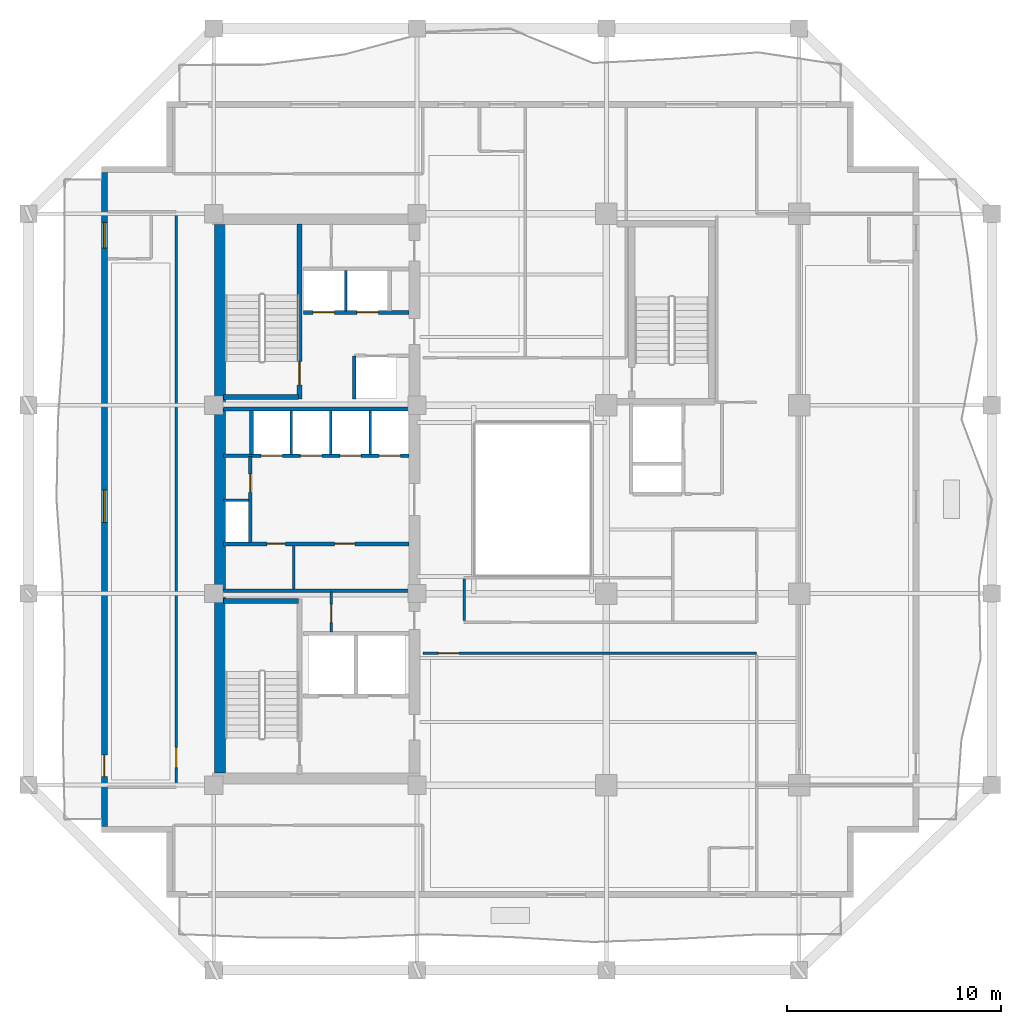
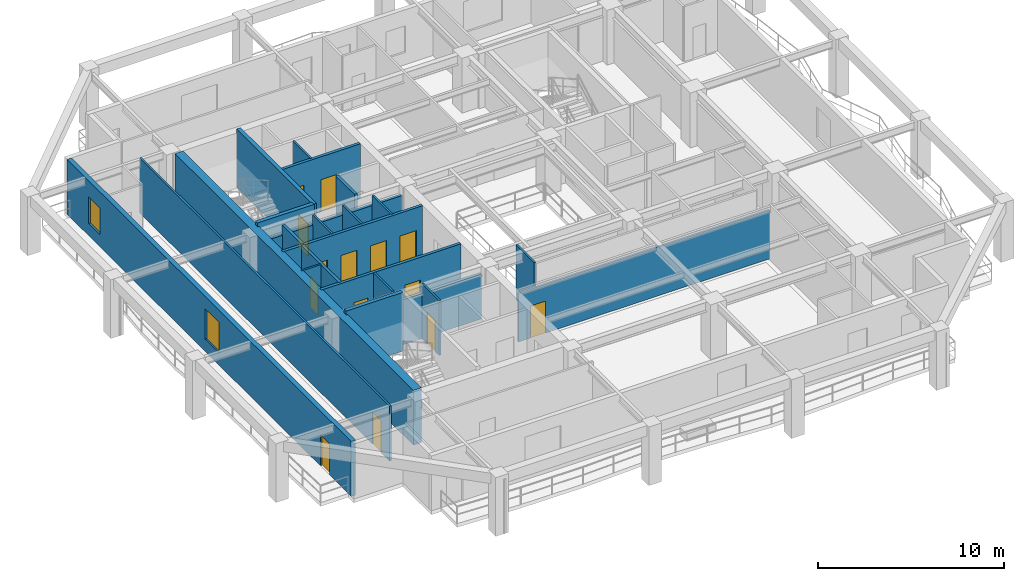
# One storey, part 3 of 10: 23 walls, 14 doors, 2 windows, 16 openings.
"""IFC4 building model written with IfcOpenShell, lengths in metres."""

from ifc_helpers import new_model, si_unit, direction, frame, frame_2d, origin, place, context, subcontext, project, spatial, rectangle, extrude, material, layer, layer_set, type_object, element, fill, save


model = new_model("IFC4")

# Units and contexts
model_context = context("Model", 3, precision=1e-05, world=origin(), true_north=direction((0.0, 1.0)))
body_context = subcontext(model_context, "Body", "Model", "MODEL_VIEW")
ifc_project = project(units=[si_unit("LENGTHUNIT", "METRE"), si_unit("AREAUNIT", "SQUARE_METRE"), si_unit("VOLUMEUNIT", "CUBIC_METRE"), si_unit("PLANEANGLEUNIT", "RADIAN"), si_unit("MASSUNIT", "GRAM", prefix="KILO")], contexts=[model_context])

# Site, building, storey
site_placement = place(None, origin())
site = spatial("IfcSite", under=ifc_project, at=site_placement, CompositionType="ELEMENT")
building_placement = place(site_placement, origin())
building = spatial("IfcBuilding", under=site, at=building_placement, Name="Kundavana Baori Tower", CompositionType="ELEMENT")
storey_placement = place(building_placement, frame((0.0, 0.0, 111.699951171875)))
storey = spatial("IfcBuildingStorey", under=building, at=storey_placement, Name="L26", CompositionType="ELEMENT", Elevation=111.699951171875)

# Wall
ifc_material_1 = material(Name="Concrete C50/60", Category="concrete")
ifc_layer_1 = layer(ifc_material_1, 0.39990234375, Name="WL-CORE-400")
ifc_layer_set_1 = layer_set([ifc_layer_1], Name="Concrete C50/60")
wall_type_1 = type_object("IfcWallType", Name="WL-CORE-400", PredefinedType="SHEAR", material=ifc_layer_set_1)
wall_1_placement = place(storey_placement, frame((15.89990234375, 23.860107421875, 0.0), z_axis=(0.0, 0.0, 1.0), x_axis=(1.0, 0.0, 0.0)))
element("IfcWall", 1, at=wall_1_placement, inside=storey, type_object=wall_type_1, Name="WL-L26-ST1-N", PredefinedType="SHEAR", context=body_context, shape_type="SweptSolid", body=[
    extrude(rectangle(XDim=3.52001953125, YDim=0.239990234375, at=frame_2d((1.760009765625, 0.0))), origin(), (0.0, 0.0, 1.0), 3.85009765625),
])

# Wall, opening, door
wall_2_placement = place(storey_placement, frame((19.4599609375, 33.300048828125, 0.0), z_axis=(0.0, 0.0, 1.0), x_axis=(0.0, 1.0, 0.0)))
wall_2 = element("IfcWall", 2, at=wall_2_placement, inside=storey, type_object=wall_type_1, Name="WL-L26-ST2-E", PredefinedType="SHEAR", context=body_context, shape_type="SweptSolid", body=[
    extrude(rectangle(XDim=8.179931640625, YDim=0.239990234375, at=frame_2d((4.08984375, 0.0))), origin(), (0.0, 0.0, 1.0), 3.85009765625),
])
opening_1_placement = place(wall_2_placement, frame((0.64990234375, 0.0, 0.0)))
opening_1 = element("IfcOpeningElement", 3, at=opening_1_placement, cuts=wall_2, Name="Opening FD-110", PredefinedType="OPENING", context=body_context, shape_type="SweptSolid", body=[
    extrude(rectangle(XDim=1.10009765625, YDim=2.10009765625, at=frame_2d((0.550048828125, 1.050048828125))), frame((0.0, 0.1298828125, 0.0), z_axis=(0.0, -1.0, 0.0), x_axis=(1.0, 0.0, 0.0)), (0.0, 0.0, 1.0), 0.260009765625),
])
ifc_material_2 = material(Name="Galvanised Steel Fire-Rated Door Leaf", Category="steel")
door_type_1 = type_object("IfcDoorType", Name="DR-FD120-1100", OperationType="NOTDEFINED", PredefinedType="DOOR", material=ifc_material_2)
door_1_placement = place(opening_1_placement, origin())
door_1 = element("IfcDoor", 4, at=door_1_placement, inside=storey, type_object=door_type_1, Name="DR-L26-ST2", OperationType="SINGLE_SWING_RIGHT", OverallHeight=2.10009765625, OverallWidth=1.10009765625, PredefinedType="DOOR", context=body_context, shape_type="SweptSolid", body=[
    extrude(rectangle(XDim=1.10009765625, YDim=2.10009765625, at=frame_2d((0.550048828125, 1.050048828125))), frame((0.0, 0.02490234375, 0.0), z_axis=(0.0, -1.0, 0.0), x_axis=(1.0, 0.0, 0.0)), (0.0, 0.0, 1.0), 0.050048828125),
])
fill(opening_1, door_1)

# Walls
wall_3_placement = place(storey_placement, frame((15.89990234375, 33.389892578125, 0.0), z_axis=(0.0, 0.0, 1.0), x_axis=(1.0, 0.0, 0.0)))
element("IfcWall", 5, at=wall_3_placement, inside=storey, type_object=wall_type_1, Name="WL-L26-ST2-S", PredefinedType="SHEAR", context=body_context, shape_type="SweptSolid", body=[
    extrude(rectangle(XDim=3.52001953125, YDim=0.239990234375, at=frame_2d((1.760009765625, 0.0))), origin(), (0.0, 0.0, 1.0), 3.85009765625),
])
ifc_material_3 = material(Name="Concrete C50/60", Category="concrete")
ifc_layer_2 = layer(ifc_material_3, 0.5, Name="WL-CORE-500")
ifc_layer_set_2 = layer_set([ifc_layer_2], Name="Concrete C50/60")
wall_type_2 = type_object("IfcWallType", Name="WL-CORE-500", PredefinedType="SHEAR", material=ifc_layer_set_2)
wall_4_placement = place(storey_placement, frame((15.739990234375, 15.81005859375, 0.0), z_axis=(0.0, 0.0, 1.0), x_axis=(0.0, 1.0, 0.0)))
element("IfcWall", 6, at=wall_4_placement, inside=storey, type_object=wall_type_2, Name="L26 Offset Core West Shear Wall", PredefinedType="SHEAR", context=body_context, shape_type="SweptSolid", body=[
    extrude(rectangle(XDim=25.6298828125, YDim=0.5, at=frame_2d((12.81494140625, 0.0))), origin(), (0.0, 0.0, 1.0), 3.60009765625),
])

# Wall, openings, door, windows
ifc_material_4 = material(Name="Red-Buff Dholpur Sandstone Cladding on Concrete C40/50", Category="masonry")
ifc_layer_3 = layer(ifc_material_4, 0.280029296875, Name="WL-EXT-SAND-280")
ifc_layer_set_3 = layer_set([ifc_layer_3], Name="Red-Buff Dholpur Sandstone Cladding on Concrete C40/50")
wall_type_3 = type_object("IfcWallType", Name="WL-EXT-SAND-280", PredefinedType="STANDARD", material=ifc_layer_set_3)
wall_5_placement = place(storey_placement, frame((10.340087890625, 43.8701171875, 0.0), z_axis=(0.0, 0.0, 1.0), x_axis=(0.0, -1.0, 0.0)))
wall_5 = element("IfcWall", 7, at=wall_5_placement, inside=storey, type_object=wall_type_3, Name="L26 Exterior Insulated Facade Wall 10", PredefinedType="STANDARD", context=body_context, shape_type="SweptSolid", body=[
    extrude(rectangle(XDim=30.5400390625, YDim=0.280029296875, at=frame_2d((15.27001953125, 0.0))), origin(), (0.0, 0.0, 1.0), 3.60009765625),
])
opening_2_placement = place(wall_5_placement, frame((27.219970703125, 0.0, 0.0)))
opening_2 = element("IfcOpeningElement", 8, at=opening_2_placement, cuts=wall_5, Name="Opening BD-1", PredefinedType="OPENING", context=body_context, shape_type="SweptSolid", body=[
    extrude(rectangle(XDim=1.0, YDim=2.050048828125, at=frame_2d((0.5, 1.02490234375))), frame((0.0, 0.14990234375, 0.0), z_axis=(0.0, -1.0, 0.0), x_axis=(1.0, 0.0, 0.0)), (0.0, 0.0, 1.0), 0.300048828125),
])
opening_3_placement = place(wall_5_placement, frame((14.840087890625, 0.0, 0.800048828125)))
opening_3 = element("IfcOpeningElement", 9, at=opening_3_placement, cuts=wall_5, Name="Opening W-02", PredefinedType="OPENING", context=body_context, shape_type="SweptSolid", body=[
    extrude(rectangle(XDim=1.5, YDim=2.0, at=frame_2d((0.75, 1.0))), frame((0.0, 0.14990234375, 0.0), z_axis=(0.0, -1.0, 0.0), x_axis=(1.0, 0.0, 0.0)), (0.0, 0.0, 1.0), 0.300048828125),
])
opening_4_placement = place(wall_5_placement, frame((2.324951171875, 0.0, 0.800048828125)))
opening_4 = element("IfcOpeningElement", 10, at=opening_4_placement, cuts=wall_5, Name="Opening W-03", PredefinedType="OPENING", context=body_context, shape_type="SweptSolid", body=[
    extrude(rectangle(XDim=1.199951171875, YDim=1.75, at=frame_2d((0.60009765625, 0.875))), frame((0.0, 0.14990234375, 0.0), z_axis=(0.0, -1.0, 0.0), x_axis=(1.0, 0.0, 0.0)), (0.0, 0.0, 1.0), 0.300048828125),
])
ifc_material_5 = material(Name="Architectural Patinated Bronze Metalwork")
door_type_2 = type_object("IfcDoorType", Name="DR-EXT-LOG-1000", OperationType="NOTDEFINED", PredefinedType="DOOR", material=ifc_material_5)
door_2_placement = place(opening_2_placement, frame((1.0, 0.0, 0.0), z_axis=(0.0, 0.0, 1.0), x_axis=(-1.0, 0.0, 0.0)))
door_2 = element("IfcDoor", 11, at=door_2_placement, inside=storey, type_object=door_type_2, Name="L26 Loggia Balcony Access Door W", OperationType="SINGLE_SWING_RIGHT", OverallHeight=2.050048828125, OverallWidth=1.0, PredefinedType="DOOR", context=body_context, shape_type="SweptSolid", body=[
    extrude(rectangle(XDim=1.0, YDim=2.050048828125, at=frame_2d((0.5, 1.02490234375))), frame((0.0, 0.02490234375, 0.0), z_axis=(0.0, -1.0, 0.0), x_axis=(1.0, 0.0, 0.0)), (0.0, 0.0, 1.0), 0.050048828125),
])
fill(opening_2, door_2)
ifc_material_6 = material(Name="Double-Glazed Solar-Control Low-E Insulated Glass", Category="glass")
window_type_1 = type_object("IfcWindowType", Name="WIN-LOG-1200x1750", PartitioningType="SINGLE_PANEL", PredefinedType="WINDOW", material=ifc_material_6)
window_1_placement = place(opening_4_placement, origin())
window_1 = element("IfcWindow", 12, at=window_1_placement, inside=storey, type_object=window_type_1, Name="L26 Recessed Loggia Window W-2", OverallHeight=1.75, OverallWidth=1.199951171875, PartitioningType="SINGLE_PANEL", PredefinedType="WINDOW", context=body_context, shape_type="SweptSolid", body=[
    extrude(rectangle(XDim=1.199951171875, YDim=1.75, at=frame_2d((0.60009765625, 0.875))), frame((0.0, 0.030029296875, 0.0), z_axis=(0.0, -1.0, 0.0), x_axis=(1.0, 0.0, 0.0)), (0.0, 0.0, 1.0), 0.06005859375),
])
fill(opening_4, window_1)
ifc_material_7 = material(Name="Double-Glazed Solar-Control Low-E Insulated Glass", Category="glass")
window_type_2 = type_object("IfcWindowType", Name="WIN-LOG-1500x2000", PartitioningType="SINGLE_PANEL", PredefinedType="WINDOW", material=ifc_material_7)
window_2_placement = place(opening_3_placement, origin())
window_2 = element("IfcWindow", 13, at=window_2_placement, inside=storey, type_object=window_type_2, Name="L26 Recessed Loggia Window W-1", OverallHeight=2.0, OverallWidth=1.5, PartitioningType="SINGLE_PANEL", PredefinedType="WINDOW", context=body_context, shape_type="SweptSolid", body=[
    extrude(rectangle(XDim=1.5, YDim=2.0, at=frame_2d((0.75, 1.0))), frame((0.0, 0.030029296875, 0.0), z_axis=(0.0, -1.0, 0.0), x_axis=(1.0, 0.0, 0.0)), (0.0, 0.0, 1.0), 0.06005859375),
])
fill(opening_3, window_2)

# Wall, opening, door
ifc_material_8 = material(Name="Acoustic Gypsum Plasterboard on Galvanised Steel Studs", Category="steel")
ifc_layer_4 = layer(ifc_material_8, 0.1201171875, Name="WL-PART-120")
ifc_layer_set_4 = layer_set([ifc_layer_4], Name="Acoustic Gypsum Plasterboard on Galvanised Steel Studs")
wall_type_4 = type_object("IfcWallType", Name="WL-PART-120", PredefinedType="PARTITIONING", material=ifc_layer_set_4)
wall_6_placement = place(storey_placement, frame((20.949951171875, 22.39990234375, 0.0), z_axis=(0.0, 0.0, 1.0), x_axis=(0.0, 1.0, 0.0)))
wall_6 = element("IfcWall", 14, at=wall_6_placement, inside=storey, type_object=wall_type_4, Name="WL-L26-CSMK-D2", PredefinedType="PARTITIONING", context=body_context, shape_type="SweptSolid", body=[
    extrude(rectangle(XDim=1.880126953125, YDim=0.1201171875, at=frame_2d((0.93994140625, 0.0))), origin(), (0.0, 0.0, 1.0), 3.60009765625),
])
opening_5_placement = place(wall_6_placement, frame((0.449951171875, 0.0, 0.0)))
opening_5 = element("IfcOpeningElement", 15, at=opening_5_placement, cuts=wall_6, Name="Opening FD-085", PredefinedType="OPENING", context=body_context, shape_type="SweptSolid", body=[
    extrude(rectangle(XDim=0.85009765625, YDim=2.06005859375, at=frame_2d((0.425048828125, 1.030029296875))), frame((0.0, 0.070068359375, 0.0), z_axis=(0.0, -1.0, 0.0), x_axis=(1.0, 0.0, 0.0)), (0.0, 0.0, 1.0), 0.14013671875),
])
ifc_material_9 = material(Name="Galvanised Steel Fire-Rated Door Leaf", Category="steel")
door_type_3 = type_object("IfcDoorType", Name="DR-FD60-850", OperationType="NOTDEFINED", PredefinedType="DOOR", material=ifc_material_9)
door_3_placement = place(opening_5_placement, origin())
door_3 = element("IfcDoor", 16, at=door_3_placement, inside=storey, type_object=door_type_3, Name="DR-L26-CSMK1", OperationType="SINGLE_SWING_RIGHT", OverallHeight=2.06005859375, OverallWidth=0.85009765625, PredefinedType="DOOR", context=body_context, shape_type="SweptSolid", body=[
    extrude(rectangle(XDim=0.85009765625, YDim=2.06005859375, at=frame_2d((0.425048828125, 1.030029296875))), frame((0.0, 0.02490234375, 0.0), z_axis=(0.0, -1.0, 0.0), x_axis=(1.0, 0.0, 0.0)), (0.0, 0.0, 1.0), 0.050048828125),
])
fill(opening_5, door_3)

# Walls
wall_7_placement = place(storey_placement, frame((19.199951171875, 24.419921875, 0.0), z_axis=(0.0, 0.0, 1.0), x_axis=(0.0, 1.0, 0.0)))
element("IfcWall", 17, at=wall_7_placement, inside=storey, type_object=wall_type_4, Name="WL-L26-FRLOW-DIV", PredefinedType="PARTITIONING", context=body_context, shape_type="SweptSolid", body=[
    extrude(rectangle(XDim=2.02001953125, YDim=0.1201171875, at=frame_2d((1.010009765625, 0.0))), origin(), (0.0, 0.0, 1.0), 3.60009765625),
])
wall_8_placement = place(storey_placement, frame((15.89990234375, 28.56005859375, 0.0), z_axis=(0.0, 0.0, 1.0), x_axis=(1.0, 0.0, 0.0)))
element("IfcWall", 18, at=wall_8_placement, inside=storey, type_object=wall_type_4, Name="WL-L26-RSRW-N", PredefinedType="PARTITIONING", context=body_context, shape_type="SweptSolid", body=[
    extrude(rectangle(XDim=1.2001953125, YDim=0.1201171875, at=frame_2d((0.60009765625, 0.0))), origin(), (0.0, 0.0, 1.0), 3.60009765625),
])
for number, where, z_axis, x_axis, name in (
    (19, (19.080078125, 30.699951171875, 0.0), (0.0, 0.0, 1.0), (0.0, 1.0, 0.0), "WL-L26-LPMID-D1"),
    (20, (20.919921875, 30.699951171875, 0.0), (0.0, 0.0, 1.0), (0.0, 1.0, 0.0), "WL-L26-LPMID-D2"),
    (21, (22.760009765625, 30.699951171875, 0.0), (0.0, 0.0, 1.0), (0.0, 1.0, 0.0), "WL-L26-LPMID-D3"),
):
    element("IfcWall", number, at=place(storey_placement, frame(where, z_axis=z_axis, x_axis=x_axis)), inside=storey, type_object=wall_type_4, Name=name, PredefinedType="PARTITIONING", context=body_context, shape_type="SweptSolid", body=[
        extrude(rectangle(XDim=2.050048828125, YDim=0.1201171875, at=frame_2d((1.02490234375, 0.0))), origin(), (0.0, 0.0, 1.0), 3.60009765625),
    ])
wall_9_placement = place(storey_placement, frame((21.6201171875, 37.39990234375, 0.0), z_axis=(0.0, 0.0, 1.0), x_axis=(0.0, 1.0, 0.0)))
element("IfcWall", 22, at=wall_9_placement, inside=storey, type_object=wall_type_4, Name="WL-L26-HR-DIV1", PredefinedType="PARTITIONING", context=body_context, shape_type="SweptSolid", body=[
    extrude(rectangle(XDim=1.900146484375, YDim=0.1201171875, at=frame_2d((0.9501953125, 0.0))), origin(), (0.0, 0.0, 1.0), 3.60009765625),
])

# Wall, opening, door
wall_10_placement = place(storey_placement, frame((25.219970703125, 21.419921875, 0.0), z_axis=(0.0, 0.0, 1.0), x_axis=(1.0, 0.0, 0.0)))
wall_10 = element("IfcWall", 23, at=wall_10_placement, inside=storey, type_object=wall_type_4, Name="WL-L26-HS", PredefinedType="PARTITIONING", context=body_context, shape_type="SweptSolid", body=[
    extrude(rectangle(XDim=15.60009765625, YDim=0.1201171875, at=frame_2d((7.800048828125, 0.0))), origin(), (0.0, 0.0, 1.0), 3.199951171875),
])
opening_6_placement = place(wall_10_placement, frame((0.72998046875, 0.0, 0.0)))
opening_6 = element("IfcOpeningElement", 24, at=opening_6_placement, cuts=wall_10, Name="Opening FD-095", PredefinedType="OPENING", context=body_context, shape_type="SweptSolid", body=[
    extrude(rectangle(XDim=0.949951171875, YDim=2.10009765625, at=frame_2d((0.47509765625, 1.050048828125))), frame((0.0, 0.070068359375, 0.0), z_axis=(0.0, -1.0, 0.0), x_axis=(1.0, 0.0, 0.0)), (0.0, 0.0, 1.0), 0.14013671875),
])
ifc_material_10 = material(Name="Engineered Teak Fire-Rated Timber Door Leaf", Category="wood")
door_type_4 = type_object("IfcDoorType", Name="DR-FD60-950", OperationType="NOTDEFINED", PredefinedType="DOOR", material=ifc_material_10)
door_4_placement = place(opening_6_placement, frame((0.949951171875, 0.0, 0.0), z_axis=(0.0, 0.0, 1.0), x_axis=(-1.0, 0.0, 0.0)))
door_4 = element("IfcDoor", 25, at=door_4_placement, inside=storey, type_object=door_type_4, Name="DR-L26-HK-S1-ENT", OperationType="SINGLE_SWING_RIGHT", OverallHeight=2.10009765625, OverallWidth=0.949951171875, PredefinedType="DOOR", context=body_context, shape_type="SweptSolid", body=[
    extrude(rectangle(XDim=0.949951171875, YDim=2.10009765625, at=frame_2d((0.47509765625, 1.050048828125))), frame((0.0, 0.02490234375, 0.0), z_axis=(0.0, -1.0, 0.0), x_axis=(1.0, 0.0, 0.0)), (0.0, 0.0, 1.0), 0.050048828125),
])
fill(opening_6, door_4)

wall_11_placement = place(storey_placement, frame((13.699951171875, 15.159912109375, 0.0), z_axis=(0.0, 0.0, 1.0), x_axis=(0.0, 1.0, 0.0)))
wall_11 = element("IfcWall", 26, at=wall_11_placement, inside=storey, type_object=wall_type_4, Name="WL-L26-HW", PredefinedType="PARTITIONING", context=body_context, shape_type="SweptSolid", body=[
    extrude(rectangle(XDim=26.880126953125, YDim=0.1201171875, at=frame_2d((13.43994140625, 0.0))), origin(), (0.0, 0.0, 1.0), 3.60009765625),
])
opening_7_placement = place(wall_11_placement, frame((0.909912109375, 0.0, 0.0)))
opening_7 = element("IfcOpeningElement", 27, at=opening_7_placement, cuts=wall_11, Name="Opening FD-095", PredefinedType="OPENING", context=body_context, shape_type="SweptSolid", body=[
    extrude(rectangle(XDim=0.949951171875, YDim=2.10009765625, at=frame_2d((0.47509765625, 1.050048828125))), frame((0.0, 0.070068359375, 0.0), z_axis=(0.0, -1.0, 0.0), x_axis=(1.0, 0.0, 0.0)), (0.0, 0.0, 1.0), 0.14013671875),
])
door_5_placement = place(opening_7_placement, origin())
door_5 = element("IfcDoor", 28, at=door_5_placement, inside=storey, type_object=door_type_4, Name="DR-L26-HK-W1-ENT", OperationType="SINGLE_SWING_LEFT", OverallHeight=2.10009765625, OverallWidth=0.949951171875, PredefinedType="DOOR", context=body_context, shape_type="SweptSolid", body=[
    extrude(rectangle(XDim=0.949951171875, YDim=2.10009765625, at=frame_2d((0.47509765625, 1.050048828125))), frame((0.0, 0.02490234375, 0.0), z_axis=(0.0, -1.0, 0.0), x_axis=(1.0, 0.0, 0.0)), (0.0, 0.0, 1.0), 0.050048828125),
])
fill(opening_7, door_5)

# Wall
wall_12_placement = place(storey_placement, frame((27.14990234375, 22.93994140625, 0.0), z_axis=(0.0, 0.0, 1.0), x_axis=(0.0, 1.0, 0.0)))
element("IfcWall", 29, at=wall_12_placement, inside=storey, type_object=wall_type_4, Name="WL-L26-HPN2", PredefinedType="PARTITIONING", context=body_context, shape_type="SweptSolid", body=[
    extrude(rectangle(XDim=1.93994140625, YDim=0.1201171875, at=frame_2d((0.969970703125, 0.0))), origin(), (0.0, 0.0, 1.0), 3.60009765625),
])

# Wall, openings, doors
ifc_material_11 = material(Name="Autoclaved Aerated Concrete Blockwork Masonry", Category="masonry")
ifc_layer_5 = layer(ifc_material_11, 0.179931640625, Name="WL-SHAFT-180")
ifc_layer_set_5 = layer_set([ifc_layer_5], Name="Autoclaved Aerated Concrete Blockwork Masonry")
wall_type_5 = type_object("IfcWallType", Name="WL-SHAFT-180", PredefinedType="SOLIDWALL", material=ifc_layer_set_5)
wall_13_placement = place(storey_placement, frame((15.89990234375, 26.52001953125, 0.0), z_axis=(0.0, 0.0, 1.0), x_axis=(1.0, 0.0, 0.0)))
wall_13 = element("IfcWall", 30, at=wall_13_placement, inside=storey, type_object=wall_type_5, Name="WL-L26-LPLOW-N", PredefinedType="SOLIDWALL", context=body_context, shape_type="SweptSolid", body=[
    extrude(rectangle(XDim=8.68017578125, YDim=0.179931640625, at=frame_2d((4.340087890625, 0.0))), origin(), (0.0, 0.0, 1.0), 3.60009765625),
])
opening_8_placement = place(wall_13_placement, frame((2.050048828125, 0.0, 0.0)))
opening_8 = element("IfcOpeningElement", 31, at=opening_8_placement, cuts=wall_13, Name="Opening FD-085", PredefinedType="OPENING", context=body_context, shape_type="SweptSolid", body=[
    extrude(rectangle(XDim=0.85009765625, YDim=2.06005859375, at=frame_2d((0.425048828125, 1.030029296875))), frame((0.0, 0.10009765625, 0.0), z_axis=(0.0, -1.0, 0.0), x_axis=(1.0, 0.0, 0.0)), (0.0, 0.0, 1.0), 0.199951171875),
])
opening_9_placement = place(wall_13_placement, frame((5.199951171875, 0.0, 0.0)))
opening_9 = element("IfcOpeningElement", 32, at=opening_9_placement, cuts=wall_13, Name="Opening FD-095", PredefinedType="OPENING", context=body_context, shape_type="SweptSolid", body=[
    extrude(rectangle(XDim=0.949951171875, YDim=2.10009765625, at=frame_2d((0.47509765625, 1.050048828125))), frame((0.0, 0.10009765625, 0.0), z_axis=(0.0, -1.0, 0.0), x_axis=(1.0, 0.0, 0.0)), (0.0, 0.0, 1.0), 0.199951171875),
])
door_6_placement = place(opening_8_placement, origin())
door_6 = element("IfcDoor", 33, at=door_6_placement, inside=storey, type_object=door_type_3, Name="DR-L26-FRLOW1", OperationType="SINGLE_SWING_LEFT", OverallHeight=2.06005859375, OverallWidth=0.85009765625, PredefinedType="DOOR", context=body_context, shape_type="SweptSolid", body=[
    extrude(rectangle(XDim=0.85009765625, YDim=2.06005859375, at=frame_2d((0.425048828125, 1.030029296875))), frame((0.0, 0.02490234375, 0.0), z_axis=(0.0, -1.0, 0.0), x_axis=(1.0, 0.0, 0.0)), (0.0, 0.0, 1.0), 0.050048828125),
])
fill(opening_8, door_6)
door_7_placement = place(opening_9_placement, origin())
door_7 = element("IfcDoor", 34, at=door_7_placement, inside=storey, type_object=door_type_4, Name="DR-L26-FRLOW2", OperationType="SINGLE_SWING_RIGHT", OverallHeight=2.10009765625, OverallWidth=0.949951171875, PredefinedType="DOOR", context=body_context, shape_type="SweptSolid", body=[
    extrude(rectangle(XDim=0.949951171875, YDim=2.10009765625, at=frame_2d((0.47509765625, 1.050048828125))), frame((0.0, 0.02490234375, 0.0), z_axis=(0.0, -1.0, 0.0), x_axis=(1.0, 0.0, 0.0)), (0.0, 0.0, 1.0), 0.050048828125),
])
fill(opening_9, door_7)

# Wall
wall_14_placement = place(storey_placement, frame((15.89990234375, 24.330078125, 0.0), z_axis=(0.0, 0.0, 1.0), x_axis=(1.0, 0.0, 0.0)))
element("IfcWall", 35, at=wall_14_placement, inside=storey, type_object=wall_type_5, Name="WL-L26-LPLOW-S", PredefinedType="SOLIDWALL", context=body_context, shape_type="SweptSolid", body=[
    extrude(rectangle(XDim=8.68017578125, YDim=0.179931640625, at=frame_2d((4.340087890625, 0.0))), origin(), (0.0, 0.0, 1.0), 2.949951171875),
])

# Wall, opening, door
wall_15_placement = place(storey_placement, frame((17.159912109375, 26.580078125, 0.0), z_axis=(0.0, 0.0, 1.0), x_axis=(0.0, 1.0, 0.0)))
wall_15 = element("IfcWall", 36, at=wall_15_placement, inside=storey, type_object=wall_type_5, Name="WL-L26-RSRW-E", PredefinedType="SOLIDWALL", context=body_context, shape_type="SweptSolid", body=[
    extrude(rectangle(XDim=4.02001953125, YDim=0.179931640625, at=frame_2d((2.010009765625, 0.0))), origin(), (0.0, 0.0, 1.0), 3.60009765625),
])
opening_10_placement = place(wall_15_placement, frame((2.35009765625, 0.0, 0.0)))
opening_10 = element("IfcOpeningElement", 37, at=opening_10_placement, cuts=wall_15, Name="Opening FD-085", PredefinedType="OPENING", context=body_context, shape_type="SweptSolid", body=[
    extrude(rectangle(XDim=0.85009765625, YDim=2.06005859375, at=frame_2d((0.425048828125, 1.030029296875))), frame((0.0, 0.10009765625, 0.0), z_axis=(0.0, -1.0, 0.0), x_axis=(1.0, 0.0, 0.0)), (0.0, 0.0, 1.0), 0.199951171875),
])
door_8_placement = place(opening_10_placement, origin())
door_8 = element("IfcDoor", 38, at=door_8_placement, inside=storey, type_object=door_type_3, Name="DR-L26-CLN", OperationType="SINGLE_SWING_RIGHT", OverallHeight=2.06005859375, OverallWidth=0.85009765625, PredefinedType="DOOR", context=body_context, shape_type="SweptSolid", body=[
    extrude(rectangle(XDim=0.85009765625, YDim=2.06005859375, at=frame_2d((0.425048828125, 1.030029296875))), frame((0.0, 0.02490234375, 0.0), z_axis=(0.0, -1.0, 0.0), x_axis=(1.0, 0.0, 0.0)), (0.0, 0.0, 1.0), 0.050048828125),
])
fill(opening_10, door_8)

# Wall, openings, doors
wall_16_placement = place(storey_placement, frame((15.89990234375, 30.639892578125, 0.0), z_axis=(0.0, 0.0, 1.0), x_axis=(1.0, 0.0, 0.0)))
wall_16 = element("IfcWall", 39, at=wall_16_placement, inside=storey, type_object=wall_type_5, Name="WL-L26-LPMID-S", PredefinedType="SOLIDWALL", context=body_context, shape_type="SweptSolid", body=[
    extrude(rectangle(XDim=8.68017578125, YDim=0.179931640625, at=frame_2d((4.340087890625, 0.0))), origin(), (0.0, 0.0, 1.0), 3.60009765625),
])
opening_11_placement = place(wall_16_placement, frame((1.760009765625, 0.0, 0.0)))
opening_11 = element("IfcOpeningElement", 40, at=opening_11_placement, cuts=wall_16, Name="Opening LD-100", PredefinedType="OPENING", context=body_context, shape_type="SweptSolid", body=[
    extrude(rectangle(XDim=1.0, YDim=2.10009765625, at=frame_2d((0.5, 1.050048828125))), frame((0.0, 0.10009765625, 0.0), z_axis=(0.0, -1.0, 0.0), x_axis=(1.0, 0.0, 0.0)), (0.0, 0.0, 1.0), 0.199951171875),
])
opening_12_placement = place(wall_16_placement, frame((3.60009765625, 0.0, 0.0)))
opening_12 = element("IfcOpeningElement", 41, at=opening_12_placement, cuts=wall_16, Name="Opening LD-100", PredefinedType="OPENING", context=body_context, shape_type="SweptSolid", body=[
    extrude(rectangle(XDim=1.0, YDim=2.10009765625, at=frame_2d((0.5, 1.050048828125))), frame((0.0, 0.10009765625, 0.0), z_axis=(0.0, -1.0, 0.0), x_axis=(1.0, 0.0, 0.0)), (0.0, 0.0, 1.0), 0.199951171875),
])
opening_13_placement = place(wall_16_placement, frame((5.43994140625, 0.0, 0.0)))
opening_13 = element("IfcOpeningElement", 42, at=opening_13_placement, cuts=wall_16, Name="Opening LD-100", PredefinedType="OPENING", context=body_context, shape_type="SweptSolid", body=[
    extrude(rectangle(XDim=1.0, YDim=2.10009765625, at=frame_2d((0.5, 1.050048828125))), frame((0.0, 0.10009765625, 0.0), z_axis=(0.0, -1.0, 0.0), x_axis=(1.0, 0.0, 0.0)), (0.0, 0.0, 1.0), 0.199951171875),
])
opening_14_placement = place(wall_16_placement, frame((7.280029296875, 0.0, 0.0)))
opening_14 = element("IfcOpeningElement", 43, at=opening_14_placement, cuts=wall_16, Name="Opening LD-100", PredefinedType="OPENING", context=body_context, shape_type="SweptSolid", body=[
    extrude(rectangle(XDim=1.0, YDim=2.10009765625, at=frame_2d((0.5, 1.050048828125))), frame((0.0, 0.10009765625, 0.0), z_axis=(0.0, -1.0, 0.0), x_axis=(1.0, 0.0, 0.0)), (0.0, 0.0, 1.0), 0.199951171875),
])
ifc_material_12 = material(Name="Galvanised Steel Fire-Rated Door Leaf", Category="steel")
door_type_5 = type_object("IfcDoorType", Name="DR-SLIDE-LD1000", OperationType="NOTDEFINED", PredefinedType="DOOR", material=ifc_material_12)
door_9_placement = place(opening_11_placement, frame((1.0, 0.0, 0.0), z_axis=(0.0, 0.0, 1.0), x_axis=(-1.0, 0.0, 0.0)))
door_9 = element("IfcDoor", 44, at=door_9_placement, inside=storey, type_object=door_type_5, Name="DR-L26-LD-LP-05", OperationType="DOUBLE_DOOR_SLIDING", OverallHeight=2.10009765625, OverallWidth=1.0, PredefinedType="DOOR", context=body_context, shape_type="SweptSolid", body=[
    extrude(rectangle(XDim=1.0, YDim=2.10009765625, at=frame_2d((0.5, 1.050048828125))), frame((0.0, 0.02490234375, 0.0), z_axis=(0.0, -1.0, 0.0), x_axis=(1.0, 0.0, 0.0)), (0.0, 0.0, 1.0), 0.050048828125),
])
fill(opening_11, door_9)
door_10_placement = place(opening_12_placement, frame((1.0, 0.0, 0.0), z_axis=(0.0, 0.0, 1.0), x_axis=(-1.0, 0.0, 0.0)))
door_10 = element("IfcDoor", 45, at=door_10_placement, inside=storey, type_object=door_type_5, Name="DR-L26-LD-LP-06", OperationType="DOUBLE_DOOR_SLIDING", OverallHeight=2.10009765625, OverallWidth=1.0, PredefinedType="DOOR", context=body_context, shape_type="SweptSolid", body=[
    extrude(rectangle(XDim=1.0, YDim=2.10009765625, at=frame_2d((0.5, 1.050048828125))), frame((0.0, 0.02490234375, 0.0), z_axis=(0.0, -1.0, 0.0), x_axis=(1.0, 0.0, 0.0)), (0.0, 0.0, 1.0), 0.050048828125),
])
fill(opening_12, door_10)
door_11_placement = place(opening_13_placement, frame((1.0, 0.0, 0.0), z_axis=(0.0, 0.0, 1.0), x_axis=(-1.0, 0.0, 0.0)))
door_11 = element("IfcDoor", 46, at=door_11_placement, inside=storey, type_object=door_type_5, Name="DR-L26-LD-LP-07", OperationType="DOUBLE_DOOR_SLIDING", OverallHeight=2.10009765625, OverallWidth=1.0, PredefinedType="DOOR", context=body_context, shape_type="SweptSolid", body=[
    extrude(rectangle(XDim=1.0, YDim=2.10009765625, at=frame_2d((0.5, 1.050048828125))), frame((0.0, 0.02490234375, 0.0), z_axis=(0.0, -1.0, 0.0), x_axis=(1.0, 0.0, 0.0)), (0.0, 0.0, 1.0), 0.050048828125),
])
fill(opening_13, door_11)
door_12_placement = place(opening_14_placement, frame((1.0, 0.0, 0.0), z_axis=(0.0, 0.0, 1.0), x_axis=(-1.0, 0.0, 0.0)))
door_12 = element("IfcDoor", 47, at=door_12_placement, inside=storey, type_object=door_type_5, Name="DR-L26-LD-LP-08", OperationType="DOUBLE_DOOR_SLIDING", OverallHeight=2.10009765625, OverallWidth=1.0, PredefinedType="DOOR", context=body_context, shape_type="SweptSolid", body=[
    extrude(rectangle(XDim=1.0, YDim=2.10009765625, at=frame_2d((0.5, 1.050048828125))), frame((0.0, 0.02490234375, 0.0), z_axis=(0.0, -1.0, 0.0), x_axis=(1.0, 0.0, 0.0)), (0.0, 0.0, 1.0), 0.050048828125),
])
fill(opening_14, door_12)

# Walls
wall_17_placement = place(storey_placement, frame((15.89990234375, 32.820068359375, 0.0), z_axis=(0.0, 0.0, 1.0), x_axis=(1.0, 0.0, 0.0)))
element("IfcWall", 48, at=wall_17_placement, inside=storey, type_object=wall_type_5, Name="WL-L26-LPMID-N", PredefinedType="SOLIDWALL", context=body_context, shape_type="SweptSolid", body=[
    extrude(rectangle(XDim=8.68017578125, YDim=0.179931640625, at=frame_2d((4.340087890625, 0.0))), origin(), (0.0, 0.0, 1.0), 2.949951171875),
])
wall_18_placement = place(storey_placement, frame((17.219970703125, 30.699951171875, 0.0), z_axis=(0.0, 0.0, 1.0), x_axis=(0.0, 1.0, 0.0)))
element("IfcWall", 49, at=wall_18_placement, inside=storey, type_object=wall_type_5, Name="WL-L26-LPMID-W", PredefinedType="SOLIDWALL", context=body_context, shape_type="SweptSolid", body=[
    extrude(rectangle(XDim=2.050048828125, YDim=0.179931640625, at=frame_2d((1.02490234375, 0.0))), origin(), (0.0, 0.0, 1.0), 3.60009765625),
])
wall_19_placement = place(storey_placement, frame((22.02001953125, 33.300048828125, 0.0), z_axis=(0.0, 0.0, 1.0), x_axis=(0.0, 1.0, 0.0)))
element("IfcWall", 50, at=wall_19_placement, inside=storey, type_object=wall_type_5, Name="WL-L26-LP11-W", PredefinedType="SOLIDWALL", context=body_context, shape_type="SweptSolid", body=[
    extrude(rectangle(XDim=2.010009765625, YDim=0.179931640625, at=frame_2d((1.0048828125, 0.0))), origin(), (0.0, 0.0, 1.0), 3.60009765625),
])

# Wall, openings, doors
wall_20_placement = place(storey_placement, frame((19.639892578125, 37.340087890625, 0.0), z_axis=(0.0, 0.0, 1.0), x_axis=(1.0, 0.0, 0.0)))
wall_20 = element("IfcWall", 51, at=wall_20_placement, inside=storey, type_object=wall_type_5, Name="WL-L26-HRLOB-N", PredefinedType="SOLIDWALL", context=body_context, shape_type="SweptSolid", body=[
    extrude(rectangle(XDim=4.940185546875, YDim=0.179931640625, at=frame_2d((2.47021484375, 0.0))), origin(), (0.0, 0.0, 1.0), 3.60009765625),
])
opening_15_placement = place(wall_20_placement, frame((0.449951171875, 0.0, 0.0)))
opening_15 = element("IfcOpeningElement", 52, at=opening_15_placement, cuts=wall_20, Name="Opening LD-100", PredefinedType="OPENING", context=body_context, shape_type="SweptSolid", body=[
    extrude(rectangle(XDim=1.0, YDim=2.10009765625, at=frame_2d((0.5, 1.050048828125))), frame((0.0, 0.10009765625, 0.0), z_axis=(0.0, -1.0, 0.0), x_axis=(1.0, 0.0, 0.0)), (0.0, 0.0, 1.0), 0.199951171875),
])
opening_16_placement = place(wall_20_placement, frame((2.5, 0.0, 0.0)))
opening_16 = element("IfcOpeningElement", 53, at=opening_16_placement, cuts=wall_20, Name="Opening LD-100", PredefinedType="OPENING", context=body_context, shape_type="SweptSolid", body=[
    extrude(rectangle(XDim=1.0, YDim=2.10009765625, at=frame_2d((0.5, 1.050048828125))), frame((0.0, 0.10009765625, 0.0), z_axis=(0.0, -1.0, 0.0), x_axis=(1.0, 0.0, 0.0)), (0.0, 0.0, 1.0), 0.199951171875),
])
door_13_placement = place(opening_15_placement, frame((1.0, 0.0, 0.0), z_axis=(0.0, 0.0, 1.0), x_axis=(-1.0, 0.0, 0.0)))
door_13 = element("IfcDoor", 54, at=door_13_placement, inside=storey, type_object=door_type_5, Name="DR-L26-LD-LP09", OperationType="DOUBLE_DOOR_SLIDING", OverallHeight=2.10009765625, OverallWidth=1.0, PredefinedType="DOOR", context=body_context, shape_type="SweptSolid", body=[
    extrude(rectangle(XDim=1.0, YDim=2.10009765625, at=frame_2d((0.5, 1.050048828125))), frame((0.0, 0.02490234375, 0.0), z_axis=(0.0, -1.0, 0.0), x_axis=(1.0, 0.0, 0.0)), (0.0, 0.0, 1.0), 0.050048828125),
])
fill(opening_15, door_13)
door_14_placement = place(opening_16_placement, frame((1.0, 0.0, 0.0), z_axis=(0.0, 0.0, 1.0), x_axis=(-1.0, 0.0, 0.0)))
door_14 = element("IfcDoor", 55, at=door_14_placement, inside=storey, type_object=door_type_5, Name="DR-L26-LD-LP10", OperationType="DOUBLE_DOOR_SLIDING", OverallHeight=2.10009765625, OverallWidth=1.0, PredefinedType="DOOR", context=body_context, shape_type="SweptSolid", body=[
    extrude(rectangle(XDim=1.0, YDim=2.10009765625, at=frame_2d((0.5, 1.050048828125))), frame((0.0, 0.02490234375, 0.0), z_axis=(0.0, -1.0, 0.0), x_axis=(1.0, 0.0, 0.0)), (0.0, 0.0, 1.0), 0.050048828125),
])
fill(opening_16, door_14)

save(model, "model.ifc")
